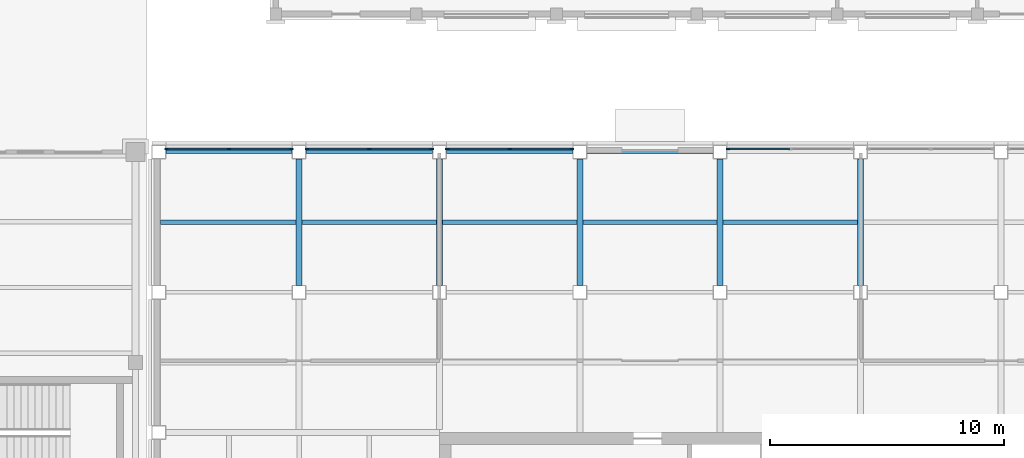
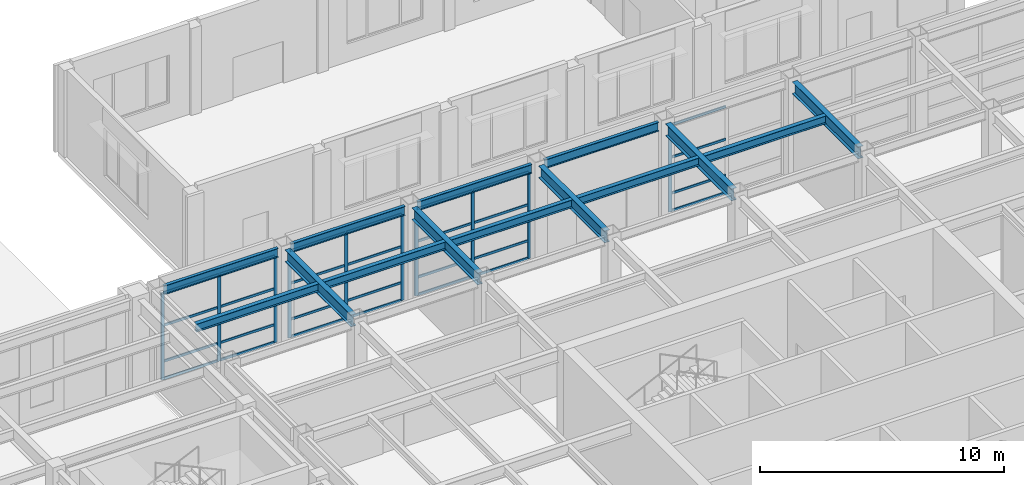
# One storey, part 27 of 77: 38 members, 14 beams, 4 elements without a shape of their own.
"""IFC4 building model written with IfcOpenShell, lengths in metres."""

from ifc_helpers import new_model, si_unit, direction, frame, origin, origin_2d, place, context, subcontext, project, spatial, rectangle, i_section, extrude, material, material_profile, profile_set, type_object, element, aggregate, save


model = new_model("IFC4")

# Units and contexts
model_context = context("Model", 3, precision=1e-05, world=origin(), true_north=direction((0.0, 1.0)))
body_context = subcontext(model_context, "Body", "Model", "MODEL_VIEW")
ifc_project = project(units=[si_unit("LENGTHUNIT", "METRE"), si_unit("AREAUNIT", "SQUARE_METRE"), si_unit("VOLUMEUNIT", "CUBIC_METRE"), si_unit("PLANEANGLEUNIT", "RADIAN"), si_unit("MASSUNIT", "GRAM", prefix="KILO")], contexts=[model_context])

# Site, building, storey
site_placement = place(None, origin())
site = spatial("IfcSite", under=ifc_project, at=site_placement, CompositionType="ELEMENT")
building_placement = place(site_placement, origin())
building = spatial("IfcBuilding", under=site, at=building_placement, Name="Aravalli Gate Trade Fair Centre", CompositionType="ELEMENT")
storey_placement = place(building_placement, origin())
storey = spatial("IfcBuildingStorey", under=building, at=storey_placement, Name="L00", CompositionType="ELEMENT", Elevation=0.0)

# Beams
ifc_material_1 = material(Name="Steel E350", Category="steel")
ifc_material_profile_1 = material_profile(ifc_material_1, i_section(OverallWidth=0.25, OverallDepth=0.60009765625, WebThickness=0.01123046875, FlangeThickness=0.021240234375, at=origin_2d()), Name="ISWB 600")
ifc_profile_set_1 = profile_set([ifc_material_profile_1], Name="Steel E350")
beam_type_1 = type_object("IfcBeamType", Name="Wing core to perimeter girder ISWB 600 (podium floors)", PredefinedType="BEAM", material=ifc_profile_set_1)
for number, where, z_axis, x_axis, name in (
    (1, (172.0, 127.300048828125, 4.5), (0.0, 1.0, 0.0), (-1.0, 0.0, 0.0), "Core to perimeter girder PN0b L01"),
    (2, (178.0, 127.300048828125, 4.5), (0.0, 1.0, 0.0), (-1.0, 0.0, 0.0), "Core to perimeter girder PN1b L01"),
    (3, (184.0, 127.300048828125, 4.5), (0.0, 1.0, 0.0), (-1.0, 0.0, 0.0), "Core to perimeter girder PN2b L01"),
    (4, (190.0, 127.300048828125, 4.5), (0.0, 1.0, 0.0), (-1.0, 0.0, 0.0), "Core to perimeter girder PN3b L01"),
):
    element("IfcBeam", number, at=place(storey_placement, frame(where, z_axis=z_axis, x_axis=x_axis)), inside=storey, type_object=beam_type_1, Name=name, PredefinedType="BEAM", context=body_context, shape_type="SweptSolid", body=[
        extrude(i_section(OverallWidth=0.25, OverallDepth=0.60009765625, WebThickness=0.01123046875, FlangeThickness=0.021240234375, at=origin_2d()), origin(), (0.0, 0.0, 1.0), 5.39990234375),
    ])
ifc_material_profile_2 = material_profile(ifc_material_1, i_section(OverallWidth=0.25, OverallDepth=0.60009765625, WebThickness=0.01123046875, FlangeThickness=0.021240234375, at=origin_2d()), Name="ISWB 600")
ifc_profile_set_2 = profile_set([ifc_material_profile_2], Name="Steel E350")
beam_type_2 = type_object("IfcBeamType", Name="Wing corner transfer girder ISWB 600 (podium floors)", PredefinedType="BEAM", material=ifc_profile_set_2)
beam_1_placement = place(storey_placement, frame((166.0, 127.300048828125, 4.5), z_axis=(0.0, 1.0, 0.0), x_axis=(-1.0, 0.0, 0.0)))
element("IfcBeam", 5, at=beam_1_placement, inside=storey, type_object=beam_type_2, Name="Corner transfer girder CNWyb L01", PredefinedType="BEAM", context=body_context, shape_type="SweptSolid", body=[
    extrude(i_section(OverallWidth=0.25, OverallDepth=0.60009765625, WebThickness=0.01123046875, FlangeThickness=0.021240234375, at=origin_2d()), origin(), (0.0, 0.0, 1.0), 5.39990234375),
])

# Curtain wall, members
ifc_material_2 = material(Name="Aluminium and glass", Category="aluminium")
curtain_wall_type = type_object("IfcCurtainWallType", Name="Wing curtain wall", PredefinedType="NOTDEFINED", material=ifc_material_2)
curtain_wall_1_placement = place(storey_placement, origin())
curtain_wall_1 = element("IfcCurtainWall", 6, at=curtain_wall_1_placement, inside=storey, type_object=curtain_wall_type, Name="Curtain wall N0 L00", PredefinedType="NOTDEFINED")
ifc_material_3 = material(Name="Aluminium", Category="aluminium")
ifc_material_profile_3 = material_profile(ifc_material_3, rectangle(XDim=0.06005859375, YDim=0.159912109375, at=origin_2d()), Name="Wing curtain wall mullion 60 x 160")
ifc_profile_set_3 = profile_set([ifc_material_profile_3], Name="Aluminium")
member_type_1 = type_object("IfcMemberType", Name="Wing curtain wall mullion 60 x 160", PredefinedType="MULLION", material=ifc_profile_set_3)
member_1_placement = place(storey_placement, frame((160.330078125, 133.125, 0.0), z_axis=(0.0, 0.0, 1.0), x_axis=(0.0, 1.0, 0.0)))
member_1 = element("IfcMember", 7, at=member_1_placement, type_object=member_type_1, Name="TCW1 mullion 1", PredefinedType="MULLION", context=body_context, shape_type="SweptSolid", body=[
    extrude(rectangle(XDim=0.06005859375, YDim=0.159912109375, at=origin_2d()), origin(), (0.0, 0.0, 1.0), 4.35009765625),
])
member_2_placement = place(storey_placement, frame((163.0, 133.125, 0.0), z_axis=(0.0, 0.0, 1.0), x_axis=(0.0, 1.0, 0.0)))
member_2 = element("IfcMember", 8, at=member_2_placement, type_object=member_type_1, Name="TCW1 mullion 2", PredefinedType="MULLION", context=body_context, shape_type="SweptSolid", body=[
    extrude(rectangle(XDim=0.06005859375, YDim=0.159912109375, at=origin_2d()), origin(), (0.0, 0.0, 1.0), 4.35009765625),
])
member_3_placement = place(storey_placement, frame((165.669921875, 133.125, 0.0), z_axis=(0.0, 0.0, 1.0), x_axis=(0.0, 1.0, 0.0)))
member_3 = element("IfcMember", 9, at=member_3_placement, type_object=member_type_1, Name="TCW1 mullion 3", PredefinedType="MULLION", context=body_context, shape_type="SweptSolid", body=[
    extrude(rectangle(XDim=0.06005859375, YDim=0.159912109375, at=origin_2d()), origin(), (0.0, 0.0, 1.0), 4.35009765625),
])

curtain_wall_2_placement = place(storey_placement, origin())
curtain_wall_2 = element("IfcCurtainWall", 10, at=curtain_wall_2_placement, inside=storey, type_object=curtain_wall_type, Name="Curtain wall N1 L00", PredefinedType="NOTDEFINED")
member_4_placement = place(storey_placement, frame((166.330078125, 133.125, 0.0), z_axis=(0.0, 0.0, 1.0), x_axis=(0.0, 1.0, 0.0)))
member_4 = element("IfcMember", 11, at=member_4_placement, type_object=member_type_1, Name="TCW1 mullion 1", PredefinedType="MULLION", context=body_context, shape_type="SweptSolid", body=[
    extrude(rectangle(XDim=0.06005859375, YDim=0.159912109375, at=origin_2d()), origin(), (0.0, 0.0, 1.0), 4.35009765625),
])
member_5_placement = place(storey_placement, frame((169.0, 133.125, 0.0), z_axis=(0.0, 0.0, 1.0), x_axis=(0.0, 1.0, 0.0)))
member_5 = element("IfcMember", 12, at=member_5_placement, type_object=member_type_1, Name="TCW1 mullion 2", PredefinedType="MULLION", context=body_context, shape_type="SweptSolid", body=[
    extrude(rectangle(XDim=0.06005859375, YDim=0.159912109375, at=origin_2d()), origin(), (0.0, 0.0, 1.0), 4.35009765625),
])
member_6_placement = place(storey_placement, frame((171.669921875, 133.125, 0.0), z_axis=(0.0, 0.0, 1.0), x_axis=(0.0, 1.0, 0.0)))
member_6 = element("IfcMember", 13, at=member_6_placement, type_object=member_type_1, Name="TCW1 mullion 3", PredefinedType="MULLION", context=body_context, shape_type="SweptSolid", body=[
    extrude(rectangle(XDim=0.06005859375, YDim=0.159912109375, at=origin_2d()), origin(), (0.0, 0.0, 1.0), 4.35009765625),
])

curtain_wall_3_placement = place(storey_placement, origin())
curtain_wall_3 = element("IfcCurtainWall", 14, at=curtain_wall_3_placement, inside=storey, type_object=curtain_wall_type, Name="Curtain wall N2 L00", PredefinedType="NOTDEFINED")
member_7_placement = place(storey_placement, frame((172.330078125, 133.125, 0.0), z_axis=(0.0, 0.0, 1.0), x_axis=(0.0, 1.0, 0.0)))
member_7 = element("IfcMember", 15, at=member_7_placement, type_object=member_type_1, Name="TCW1 mullion 1", PredefinedType="MULLION", context=body_context, shape_type="SweptSolid", body=[
    extrude(rectangle(XDim=0.06005859375, YDim=0.159912109375, at=origin_2d()), origin(), (0.0, 0.0, 1.0), 4.35009765625),
])
member_8_placement = place(storey_placement, frame((175.0, 133.125, 0.0), z_axis=(0.0, 0.0, 1.0), x_axis=(0.0, 1.0, 0.0)))
member_8 = element("IfcMember", 16, at=member_8_placement, type_object=member_type_1, Name="TCW1 mullion 2", PredefinedType="MULLION", context=body_context, shape_type="SweptSolid", body=[
    extrude(rectangle(XDim=0.06005859375, YDim=0.159912109375, at=origin_2d()), origin(), (0.0, 0.0, 1.0), 4.35009765625),
])
member_9_placement = place(storey_placement, frame((177.669921875, 133.125, 0.0), z_axis=(0.0, 0.0, 1.0), x_axis=(0.0, 1.0, 0.0)))
member_9 = element("IfcMember", 17, at=member_9_placement, type_object=member_type_1, Name="TCW1 mullion 3", PredefinedType="MULLION", context=body_context, shape_type="SweptSolid", body=[
    extrude(rectangle(XDim=0.06005859375, YDim=0.159912109375, at=origin_2d()), origin(), (0.0, 0.0, 1.0), 4.35009765625),
])

# Curtain wall, member
curtain_wall_4_placement = place(storey_placement, origin())
curtain_wall_4 = element("IfcCurtainWall", 18, at=curtain_wall_4_placement, inside=storey, type_object=curtain_wall_type, Name="Curtain wall N4 L00", PredefinedType="NOTDEFINED")
member_10_placement = place(storey_placement, frame((184.330078125, 133.125, 0.0), z_axis=(0.0, 0.0, 1.0), x_axis=(0.0, 1.0, 0.0)))
member_10 = element("IfcMember", 19, at=member_10_placement, type_object=member_type_1, Name="TCW1 mullion 1", PredefinedType="MULLION", context=body_context, shape_type="SweptSolid", body=[
    extrude(rectangle(XDim=0.06005859375, YDim=0.159912109375, at=origin_2d()), origin(), (0.0, 0.0, 1.0), 4.35009765625),
])

# Member
ifc_material_profile_4 = material_profile(ifc_material_3, rectangle(XDim=0.06005859375, YDim=0.1201171875, at=origin_2d()), Name="Wing curtain wall transom 60 x 120")
ifc_profile_set_4 = profile_set([ifc_material_profile_4], Name="Aluminium")
member_type_2 = type_object("IfcMemberType", Name="Wing curtain wall transom 60 x 120", PredefinedType="USERDEFINED", material=ifc_profile_set_4)
member_11_placement = place(storey_placement, frame((160.360107421875, 133.125, 0.030029296875), z_axis=(1.0, 0.0, 0.0), x_axis=(0.0, 1.0, 0.0)))
member_11 = element("IfcMember", 20, at=member_11_placement, type_object=member_type_2, Name="TCW1 transom 1.1", ObjectType="TRANSOM", PredefinedType="USERDEFINED", context=body_context, shape_type="SweptSolid", body=[
    extrude(rectangle(XDim=0.06005859375, YDim=0.1201171875, at=origin_2d()), origin(), (0.0, 0.0, 1.0), 2.60986328125),
])

member_12_placement = place(storey_placement, frame((160.360107421875, 133.125, 0.89990234375), z_axis=(1.0, 0.0, 0.0), x_axis=(0.0, 1.0, 0.0)))
member_12 = element("IfcMember", 21, at=member_12_placement, type_object=member_type_2, Name="TCW1 transom 1.2", ObjectType="TRANSOM", PredefinedType="USERDEFINED", context=body_context, shape_type="SweptSolid", body=[
    extrude(rectangle(XDim=0.06005859375, YDim=0.1201171875, at=origin_2d()), origin(), (0.0, 0.0, 1.0), 2.60986328125),
])

member_13_placement = place(storey_placement, frame((160.360107421875, 133.125, 2.699951171875), z_axis=(1.0, 0.0, 0.0), x_axis=(0.0, 1.0, 0.0)))
member_13 = element("IfcMember", 22, at=member_13_placement, type_object=member_type_2, Name="TCW1 transom 1.3", ObjectType="TRANSOM", PredefinedType="USERDEFINED", context=body_context, shape_type="SweptSolid", body=[
    extrude(rectangle(XDim=0.06005859375, YDim=0.1201171875, at=origin_2d()), origin(), (0.0, 0.0, 1.0), 2.60986328125),
])

member_14_placement = place(storey_placement, frame((160.360107421875, 133.125, 4.320068359375), z_axis=(1.0, 0.0, 0.0), x_axis=(0.0, 1.0, 0.0)))
member_14 = element("IfcMember", 23, at=member_14_placement, type_object=member_type_2, Name="TCW1 transom 1.4", ObjectType="TRANSOM", PredefinedType="USERDEFINED", context=body_context, shape_type="SweptSolid", body=[
    extrude(rectangle(XDim=0.06005859375, YDim=0.1201171875, at=origin_2d()), origin(), (0.0, 0.0, 1.0), 2.60986328125),
])

member_15_placement = place(storey_placement, frame((163.030029296875, 133.125, 0.030029296875), z_axis=(1.0, 0.0, 0.0), x_axis=(0.0, 1.0, 0.0)))
member_15 = element("IfcMember", 24, at=member_15_placement, type_object=member_type_2, Name="TCW1 transom 2.1", ObjectType="TRANSOM", PredefinedType="USERDEFINED", context=body_context, shape_type="SweptSolid", body=[
    extrude(rectangle(XDim=0.06005859375, YDim=0.1201171875, at=origin_2d()), origin(), (0.0, 0.0, 1.0), 2.60986328125),
])

member_16_placement = place(storey_placement, frame((163.030029296875, 133.125, 0.89990234375), z_axis=(1.0, 0.0, 0.0), x_axis=(0.0, 1.0, 0.0)))
member_16 = element("IfcMember", 25, at=member_16_placement, type_object=member_type_2, Name="TCW1 transom 2.2", ObjectType="TRANSOM", PredefinedType="USERDEFINED", context=body_context, shape_type="SweptSolid", body=[
    extrude(rectangle(XDim=0.06005859375, YDim=0.1201171875, at=origin_2d()), origin(), (0.0, 0.0, 1.0), 2.60986328125),
])

member_17_placement = place(storey_placement, frame((163.030029296875, 133.125, 2.699951171875), z_axis=(1.0, 0.0, 0.0), x_axis=(0.0, 1.0, 0.0)))
member_17 = element("IfcMember", 26, at=member_17_placement, type_object=member_type_2, Name="TCW1 transom 2.3", ObjectType="TRANSOM", PredefinedType="USERDEFINED", context=body_context, shape_type="SweptSolid", body=[
    extrude(rectangle(XDim=0.06005859375, YDim=0.1201171875, at=origin_2d()), origin(), (0.0, 0.0, 1.0), 2.60986328125),
])

member_18_placement = place(storey_placement, frame((163.030029296875, 133.125, 4.320068359375), z_axis=(1.0, 0.0, 0.0), x_axis=(0.0, 1.0, 0.0)))
member_18 = element("IfcMember", 27, at=member_18_placement, type_object=member_type_2, Name="TCW1 transom 2.4", ObjectType="TRANSOM", PredefinedType="USERDEFINED", context=body_context, shape_type="SweptSolid", body=[
    extrude(rectangle(XDim=0.06005859375, YDim=0.1201171875, at=origin_2d()), origin(), (0.0, 0.0, 1.0), 2.60986328125),
])

aggregate(curtain_wall_1, [member_1, member_2, member_3, member_11, member_12, member_13, member_14, member_15, member_16, member_17, member_18])

member_19_placement = place(storey_placement, frame((166.360107421875, 133.125, 0.030029296875), z_axis=(1.0, 0.0, 0.0), x_axis=(0.0, 1.0, 0.0)))
member_19 = element("IfcMember", 28, at=member_19_placement, type_object=member_type_2, Name="TCW1 transom 1.1", ObjectType="TRANSOM", PredefinedType="USERDEFINED", context=body_context, shape_type="SweptSolid", body=[
    extrude(rectangle(XDim=0.06005859375, YDim=0.1201171875, at=origin_2d()), origin(), (0.0, 0.0, 1.0), 2.60986328125),
])

member_20_placement = place(storey_placement, frame((166.360107421875, 133.125, 0.89990234375), z_axis=(1.0, 0.0, 0.0), x_axis=(0.0, 1.0, 0.0)))
member_20 = element("IfcMember", 29, at=member_20_placement, type_object=member_type_2, Name="TCW1 transom 1.2", ObjectType="TRANSOM", PredefinedType="USERDEFINED", context=body_context, shape_type="SweptSolid", body=[
    extrude(rectangle(XDim=0.06005859375, YDim=0.1201171875, at=origin_2d()), origin(), (0.0, 0.0, 1.0), 2.60986328125),
])

member_21_placement = place(storey_placement, frame((166.360107421875, 133.125, 2.699951171875), z_axis=(1.0, 0.0, 0.0), x_axis=(0.0, 1.0, 0.0)))
member_21 = element("IfcMember", 30, at=member_21_placement, type_object=member_type_2, Name="TCW1 transom 1.3", ObjectType="TRANSOM", PredefinedType="USERDEFINED", context=body_context, shape_type="SweptSolid", body=[
    extrude(rectangle(XDim=0.06005859375, YDim=0.1201171875, at=origin_2d()), origin(), (0.0, 0.0, 1.0), 2.60986328125),
])

member_22_placement = place(storey_placement, frame((166.360107421875, 133.125, 4.320068359375), z_axis=(1.0, 0.0, 0.0), x_axis=(0.0, 1.0, 0.0)))
member_22 = element("IfcMember", 31, at=member_22_placement, type_object=member_type_2, Name="TCW1 transom 1.4", ObjectType="TRANSOM", PredefinedType="USERDEFINED", context=body_context, shape_type="SweptSolid", body=[
    extrude(rectangle(XDim=0.06005859375, YDim=0.1201171875, at=origin_2d()), origin(), (0.0, 0.0, 1.0), 2.60986328125),
])

member_23_placement = place(storey_placement, frame((169.030029296875, 133.125, 0.030029296875), z_axis=(1.0, 0.0, 0.0), x_axis=(0.0, 1.0, 0.0)))
member_23 = element("IfcMember", 32, at=member_23_placement, type_object=member_type_2, Name="TCW1 transom 2.1", ObjectType="TRANSOM", PredefinedType="USERDEFINED", context=body_context, shape_type="SweptSolid", body=[
    extrude(rectangle(XDim=0.06005859375, YDim=0.1201171875, at=origin_2d()), origin(), (0.0, 0.0, 1.0), 2.60986328125),
])

member_24_placement = place(storey_placement, frame((169.030029296875, 133.125, 0.89990234375), z_axis=(1.0, 0.0, 0.0), x_axis=(0.0, 1.0, 0.0)))
member_24 = element("IfcMember", 33, at=member_24_placement, type_object=member_type_2, Name="TCW1 transom 2.2", ObjectType="TRANSOM", PredefinedType="USERDEFINED", context=body_context, shape_type="SweptSolid", body=[
    extrude(rectangle(XDim=0.06005859375, YDim=0.1201171875, at=origin_2d()), origin(), (0.0, 0.0, 1.0), 2.60986328125),
])

member_25_placement = place(storey_placement, frame((169.030029296875, 133.125, 2.699951171875), z_axis=(1.0, 0.0, 0.0), x_axis=(0.0, 1.0, 0.0)))
member_25 = element("IfcMember", 34, at=member_25_placement, type_object=member_type_2, Name="TCW1 transom 2.3", ObjectType="TRANSOM", PredefinedType="USERDEFINED", context=body_context, shape_type="SweptSolid", body=[
    extrude(rectangle(XDim=0.06005859375, YDim=0.1201171875, at=origin_2d()), origin(), (0.0, 0.0, 1.0), 2.60986328125),
])

member_26_placement = place(storey_placement, frame((169.030029296875, 133.125, 4.320068359375), z_axis=(1.0, 0.0, 0.0), x_axis=(0.0, 1.0, 0.0)))
member_26 = element("IfcMember", 35, at=member_26_placement, type_object=member_type_2, Name="TCW1 transom 2.4", ObjectType="TRANSOM", PredefinedType="USERDEFINED", context=body_context, shape_type="SweptSolid", body=[
    extrude(rectangle(XDim=0.06005859375, YDim=0.1201171875, at=origin_2d()), origin(), (0.0, 0.0, 1.0), 2.60986328125),
])

aggregate(curtain_wall_2, [member_4, member_5, member_6, member_19, member_20, member_21, member_22, member_23, member_24, member_25, member_26])

member_27_placement = place(storey_placement, frame((172.360107421875, 133.125, 0.030029296875), z_axis=(1.0, 0.0, 0.0), x_axis=(0.0, 1.0, 0.0)))
member_27 = element("IfcMember", 36, at=member_27_placement, type_object=member_type_2, Name="TCW1 transom 1.1", ObjectType="TRANSOM", PredefinedType="USERDEFINED", context=body_context, shape_type="SweptSolid", body=[
    extrude(rectangle(XDim=0.06005859375, YDim=0.1201171875, at=origin_2d()), origin(), (0.0, 0.0, 1.0), 2.60986328125),
])

member_28_placement = place(storey_placement, frame((172.360107421875, 133.125, 0.89990234375), z_axis=(1.0, 0.0, 0.0), x_axis=(0.0, 1.0, 0.0)))
member_28 = element("IfcMember", 37, at=member_28_placement, type_object=member_type_2, Name="TCW1 transom 1.2", ObjectType="TRANSOM", PredefinedType="USERDEFINED", context=body_context, shape_type="SweptSolid", body=[
    extrude(rectangle(XDim=0.06005859375, YDim=0.1201171875, at=origin_2d()), origin(), (0.0, 0.0, 1.0), 2.60986328125),
])

member_29_placement = place(storey_placement, frame((172.360107421875, 133.125, 2.699951171875), z_axis=(1.0, 0.0, 0.0), x_axis=(0.0, 1.0, 0.0)))
member_29 = element("IfcMember", 38, at=member_29_placement, type_object=member_type_2, Name="TCW1 transom 1.3", ObjectType="TRANSOM", PredefinedType="USERDEFINED", context=body_context, shape_type="SweptSolid", body=[
    extrude(rectangle(XDim=0.06005859375, YDim=0.1201171875, at=origin_2d()), origin(), (0.0, 0.0, 1.0), 2.60986328125),
])

member_30_placement = place(storey_placement, frame((172.360107421875, 133.125, 4.320068359375), z_axis=(1.0, 0.0, 0.0), x_axis=(0.0, 1.0, 0.0)))
member_30 = element("IfcMember", 39, at=member_30_placement, type_object=member_type_2, Name="TCW1 transom 1.4", ObjectType="TRANSOM", PredefinedType="USERDEFINED", context=body_context, shape_type="SweptSolid", body=[
    extrude(rectangle(XDim=0.06005859375, YDim=0.1201171875, at=origin_2d()), origin(), (0.0, 0.0, 1.0), 2.60986328125),
])

member_31_placement = place(storey_placement, frame((175.030029296875, 133.125, 0.030029296875), z_axis=(1.0, 0.0, 0.0), x_axis=(0.0, 1.0, 0.0)))
member_31 = element("IfcMember", 40, at=member_31_placement, type_object=member_type_2, Name="TCW1 transom 2.1", ObjectType="TRANSOM", PredefinedType="USERDEFINED", context=body_context, shape_type="SweptSolid", body=[
    extrude(rectangle(XDim=0.06005859375, YDim=0.1201171875, at=origin_2d()), origin(), (0.0, 0.0, 1.0), 2.60986328125),
])

member_32_placement = place(storey_placement, frame((175.030029296875, 133.125, 0.89990234375), z_axis=(1.0, 0.0, 0.0), x_axis=(0.0, 1.0, 0.0)))
member_32 = element("IfcMember", 41, at=member_32_placement, type_object=member_type_2, Name="TCW1 transom 2.2", ObjectType="TRANSOM", PredefinedType="USERDEFINED", context=body_context, shape_type="SweptSolid", body=[
    extrude(rectangle(XDim=0.06005859375, YDim=0.1201171875, at=origin_2d()), origin(), (0.0, 0.0, 1.0), 2.60986328125),
])

member_33_placement = place(storey_placement, frame((175.030029296875, 133.125, 2.699951171875), z_axis=(1.0, 0.0, 0.0), x_axis=(0.0, 1.0, 0.0)))
member_33 = element("IfcMember", 42, at=member_33_placement, type_object=member_type_2, Name="TCW1 transom 2.3", ObjectType="TRANSOM", PredefinedType="USERDEFINED", context=body_context, shape_type="SweptSolid", body=[
    extrude(rectangle(XDim=0.06005859375, YDim=0.1201171875, at=origin_2d()), origin(), (0.0, 0.0, 1.0), 2.60986328125),
])

member_34_placement = place(storey_placement, frame((175.030029296875, 133.125, 4.320068359375), z_axis=(1.0, 0.0, 0.0), x_axis=(0.0, 1.0, 0.0)))
member_34 = element("IfcMember", 43, at=member_34_placement, type_object=member_type_2, Name="TCW1 transom 2.4", ObjectType="TRANSOM", PredefinedType="USERDEFINED", context=body_context, shape_type="SweptSolid", body=[
    extrude(rectangle(XDim=0.06005859375, YDim=0.1201171875, at=origin_2d()), origin(), (0.0, 0.0, 1.0), 2.60986328125),
])

aggregate(curtain_wall_3, [member_7, member_8, member_9, member_27, member_28, member_29, member_30, member_31, member_32, member_33, member_34])

member_35_placement = place(storey_placement, frame((184.360107421875, 133.125, 0.030029296875), z_axis=(1.0, 0.0, 0.0), x_axis=(0.0, 1.0, 0.0)))
member_35 = element("IfcMember", 44, at=member_35_placement, type_object=member_type_2, Name="TCW1 transom 1.1", ObjectType="TRANSOM", PredefinedType="USERDEFINED", context=body_context, shape_type="SweptSolid", body=[
    extrude(rectangle(XDim=0.06005859375, YDim=0.1201171875, at=origin_2d()), origin(), (0.0, 0.0, 1.0), 2.60986328125),
])

member_36_placement = place(storey_placement, frame((184.360107421875, 133.125, 0.89990234375), z_axis=(1.0, 0.0, 0.0), x_axis=(0.0, 1.0, 0.0)))
member_36 = element("IfcMember", 45, at=member_36_placement, type_object=member_type_2, Name="TCW1 transom 1.2", ObjectType="TRANSOM", PredefinedType="USERDEFINED", context=body_context, shape_type="SweptSolid", body=[
    extrude(rectangle(XDim=0.06005859375, YDim=0.1201171875, at=origin_2d()), origin(), (0.0, 0.0, 1.0), 2.60986328125),
])

member_37_placement = place(storey_placement, frame((184.360107421875, 133.125, 2.699951171875), z_axis=(1.0, 0.0, 0.0), x_axis=(0.0, 1.0, 0.0)))
member_37 = element("IfcMember", 46, at=member_37_placement, type_object=member_type_2, Name="TCW1 transom 1.3", ObjectType="TRANSOM", PredefinedType="USERDEFINED", context=body_context, shape_type="SweptSolid", body=[
    extrude(rectangle(XDim=0.06005859375, YDim=0.1201171875, at=origin_2d()), origin(), (0.0, 0.0, 1.0), 2.60986328125),
])

member_38_placement = place(storey_placement, frame((184.360107421875, 133.125, 4.320068359375), z_axis=(1.0, 0.0, 0.0), x_axis=(0.0, 1.0, 0.0)))
member_38 = element("IfcMember", 47, at=member_38_placement, type_object=member_type_2, Name="TCW1 transom 1.4", ObjectType="TRANSOM", PredefinedType="USERDEFINED", context=body_context, shape_type="SweptSolid", body=[
    extrude(rectangle(XDim=0.06005859375, YDim=0.1201171875, at=origin_2d()), origin(), (0.0, 0.0, 1.0), 2.60986328125),
])

aggregate(curtain_wall_4, [member_10, member_35, member_36, member_37, member_38])

# Beams
ifc_material_profile_5 = material_profile(ifc_material_1, i_section(OverallWidth=0.14990234375, OverallDepth=0.449951171875, WebThickness=0.009521484375, FlangeThickness=0.017333984375, at=origin_2d()), Name="ISMB 450")
ifc_profile_set_5 = profile_set([ifc_material_profile_5], Name="Steel E350")
beam_type_3 = type_object("IfcBeamType", Name="Wing perimeter beam ISMB 450 (podium floors)", PredefinedType="BEAM", material=ifc_profile_set_5)
for number, where, z_axis, x_axis, name in (
    (48, (160.300048828125, 133.0, 4.574951171875), (1.0, 0.0, 0.0), (0.0, 1.0, 0.0), "Perimeter beam EN0 L01"),
    (49, (166.300048828125, 133.0, 4.574951171875), (1.0, 0.0, 0.0), (0.0, 1.0, 0.0), "Perimeter beam EN1 L01"),
    (50, (172.300048828125, 133.0, 4.574951171875), (1.0, 0.0, 0.0), (0.0, 1.0, 0.0), "Perimeter beam EN2 L01"),
    (51, (178.300048828125, 133.0, 4.574951171875), (1.0, 0.0, 0.0), (0.0, 1.0, 0.0), "Perimeter beam EN3 L01"),
):
    element("IfcBeam", number, at=place(storey_placement, frame(where, z_axis=z_axis, x_axis=x_axis)), inside=storey, type_object=beam_type_3, Name=name, PredefinedType="BEAM", context=body_context, shape_type="SweptSolid", body=[
        extrude(i_section(OverallWidth=0.14990234375, OverallDepth=0.449951171875, WebThickness=0.009521484375, FlangeThickness=0.017333984375, at=origin_2d()), origin(), (0.0, 0.0, 1.0), 5.39990234375),
    ])
ifc_material_profile_6 = material_profile(ifc_material_1, i_section(OverallWidth=0.199951171875, OverallDepth=0.39990234375, WebThickness=0.008544921875, FlangeThickness=0.012939453125, at=origin_2d()), Name="ISWB 400")
ifc_profile_set_6 = profile_set([ifc_material_profile_6], Name="Steel E350")
beam_type_4 = type_object("IfcBeamType", Name="Wing secondary beam ISWB 400 (podium floors)", PredefinedType="BEAM", material=ifc_profile_set_6)
beam_2_placement = place(storey_placement, frame((160.074951171875, 130.0, 4.60009765625), z_axis=(1.0, 0.0, 0.0), x_axis=(0.0, 1.0, 0.0)))
element("IfcBeam", 52, at=beam_2_placement, inside=storey, type_object=beam_type_4, Name="Secondary beam KWN10 L01", PredefinedType="BEAM", context=body_context, shape_type="SweptSolid", body=[
    extrude(i_section(OverallWidth=0.199951171875, OverallDepth=0.39990234375, WebThickness=0.008544921875, FlangeThickness=0.012939453125, at=origin_2d()), origin(), (0.0, 0.0, 1.0), 5.800048828125),
])
for number, where, z_axis, x_axis, name in (
    (53, (166.125, 130.0, 4.60009765625), (1.0, 0.0, 0.0), (0.0, 1.0, 0.0), "Secondary beam KWN11 L01"),
    (54, (172.125, 130.0, 4.60009765625), (1.0, 0.0, 0.0), (0.0, 1.0, 0.0), "Secondary beam BN0130 L01"),
    (55, (178.125, 130.0, 4.60009765625), (1.0, 0.0, 0.0), (0.0, 1.0, 0.0), "Secondary beam BN1130 L01"),
    (56, (184.125, 130.0, 4.60009765625), (1.0, 0.0, 0.0), (0.0, 1.0, 0.0), "Secondary beam BN2130 L01"),
):
    element("IfcBeam", number, at=place(storey_placement, frame(where, z_axis=z_axis, x_axis=x_axis)), inside=storey, type_object=beam_type_4, Name=name, PredefinedType="BEAM", context=body_context, shape_type="SweptSolid", body=[
        extrude(i_section(OverallWidth=0.199951171875, OverallDepth=0.39990234375, WebThickness=0.008544921875, FlangeThickness=0.012939453125, at=origin_2d()), origin(), (0.0, 0.0, 1.0), 5.75),
    ])

save(model, "model.ifc")
